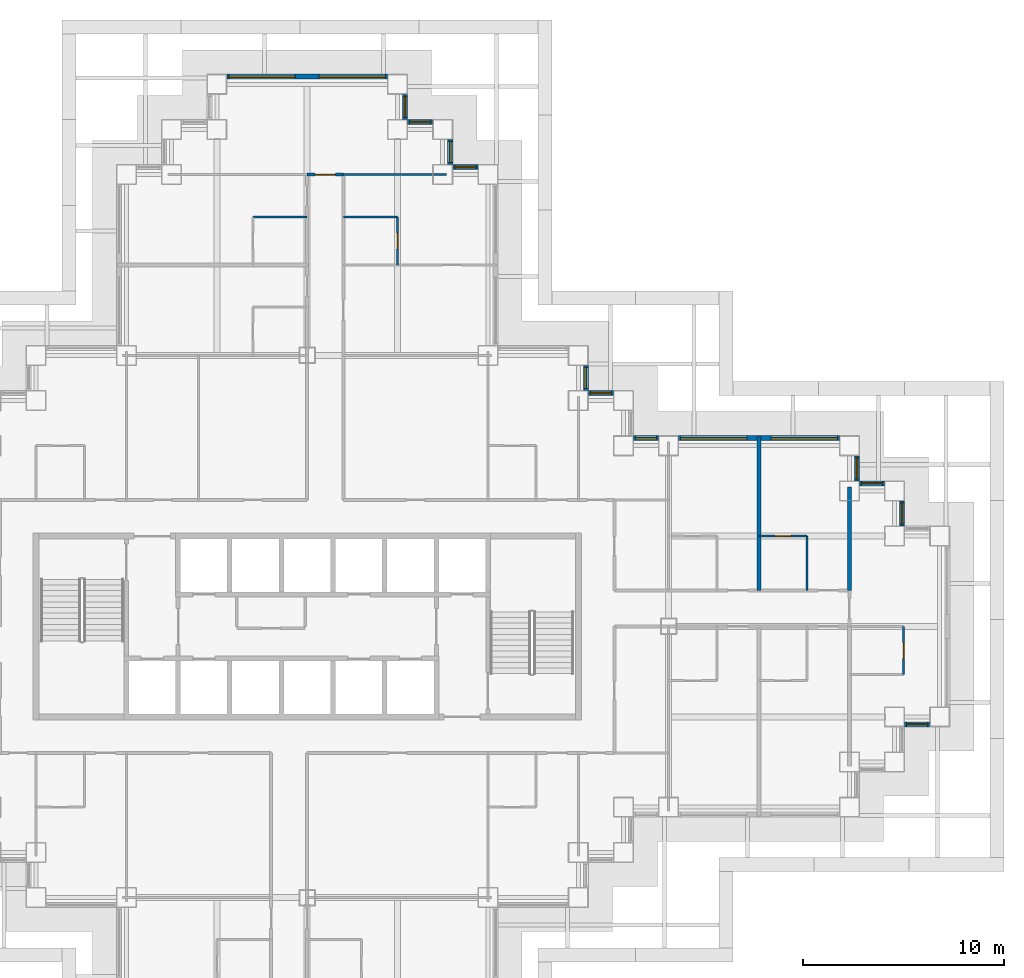
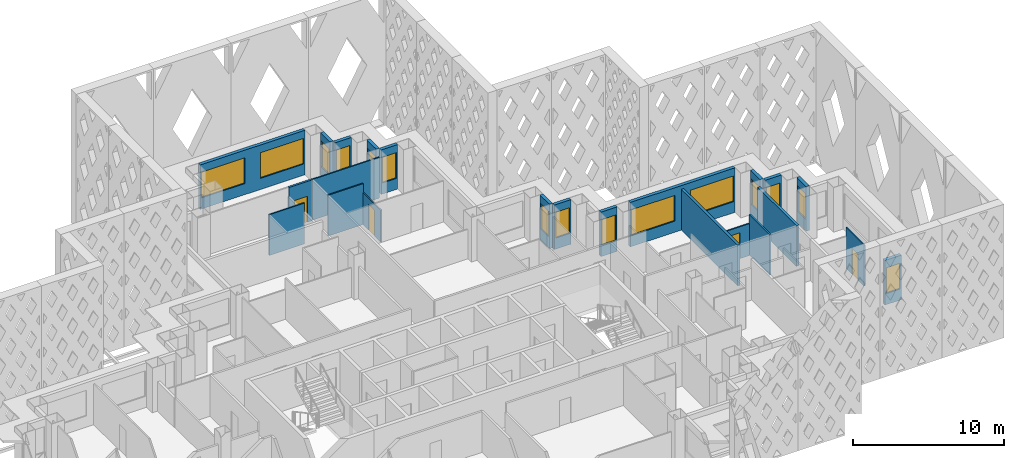
# One storey, part 9 of 19: 23 walls, 15 windows, 4 doors, 19 openings.
"""IFC4 building model written with IfcOpenShell, lengths in metres."""

from ifc_helpers import new_model, si_unit, direction, frame, frame_2d, origin, place, context, subcontext, project, spatial, rectangle, extrude, material, layer, layer_set, type_object, element, fill, save


model = new_model("IFC4")

# Units and contexts
model_context = context("Model", 3, precision=1e-05, world=origin(), true_north=direction((0.0, 1.0)))
body_context = subcontext(model_context, "Body", "Model", "MODEL_VIEW")
ifc_project = project(units=[si_unit("LENGTHUNIT", "METRE"), si_unit("AREAUNIT", "SQUARE_METRE"), si_unit("VOLUMEUNIT", "CUBIC_METRE"), si_unit("PLANEANGLEUNIT", "RADIAN"), si_unit("MASSUNIT", "GRAM", prefix="KILO")], contexts=[model_context])

# Site, building, storey
site_placement = place(None, origin())
site = spatial("IfcSite", under=ifc_project, at=site_placement, CompositionType="ELEMENT")
building_placement = place(site_placement, origin())
building = spatial("IfcBuilding", under=site, at=building_placement, Name="Caravel Reach Hotel and Residences", CompositionType="ELEMENT")
storey_placement = place(building_placement, frame((0.0, 0.0, 74.39990234375)))
storey = spatial("IfcBuildingStorey", under=building, at=storey_placement, Name="L17", CompositionType="ELEMENT", Elevation=74.39990234375)

# Wall, opening, door
ifc_material_1 = material(Name="Gypsum board on steel stud", Category="steel")
ifc_layer_1 = layer(ifc_material_1, 0.10009765625)
ifc_layer_set_1 = layer_set([ifc_layer_1], Name="Bathroom pod wall 100 mm")
wall_type_1 = type_object("IfcWallType", Name="Bathroom pod wall 100 mm", PredefinedType="PARTITIONING", material=ifc_layer_set_1)
wall_1_placement = place(storey_placement, frame((54.0, 31.5, 0.0), z_axis=(0.0, 0.0, 1.0), x_axis=(1.0, 0.0, 0.0)))
wall_1 = element("IfcWall", 1, at=wall_1_placement, inside=storey, type_object=wall_type_1, Name="L17 wall w094", PredefinedType="PARTITIONING", context=body_context, shape_type="SweptSolid", body=[
    extrude(rectangle(XDim=2.39990234375, YDim=0.10009765625, at=frame_2d((1.199951171875, 0.0))), origin(), (0.0, 0.0, 1.0), 2.580078125),
])
opening_1_placement = place(wall_1_placement, frame((0.800048828125, 0.0, 0.0)))
opening_1 = element("IfcOpeningElement", 2, at=opening_1_placement, cuts=wall_1, Name="Opening D17-029", PredefinedType="OPENING", context=body_context, shape_type="SweptSolid", body=[
    extrude(rectangle(XDim=0.800048828125, YDim=2.10009765625, at=frame_2d((0.39990234375, 1.050048828125))), frame((0.0, 0.06005859375, 0.0), z_axis=(0.0, -1.0, 0.0), x_axis=(1.0, 0.0, 0.0)), (0.0, 0.0, 1.0), 0.1201171875),
])
ifc_material_2 = material(Name="Timber and steel door leaf", Category="steel")
door_type_1 = type_object("IfcDoorType", Name="Bathroom door 800 x 2100", OperationType="SINGLE_SWING_LEFT", PredefinedType="DOOR", material=ifc_material_2)
door_1_placement = place(opening_1_placement, origin())
door_1 = element("IfcDoor", 3, at=door_1_placement, inside=storey, type_object=door_type_1, Name="door D17-029", OperationType="SINGLE_SWING_LEFT", OverallHeight=2.10009765625, OverallWidth=0.800048828125, PredefinedType="DOOR", context=body_context, shape_type="SweptSolid", body=[
    extrude(rectangle(XDim=0.800048828125, YDim=2.10009765625, at=frame_2d((0.39990234375, 1.050048828125))), frame((0.0, 0.02490234375, 0.0), z_axis=(0.0, -1.0, 0.0), x_axis=(1.0, 0.0, 0.0)), (0.0, 0.0, 1.0), 0.050048828125),
])
fill(opening_1, door_1)

# Walls
for number, where, z_axis, x_axis, name in (
    (4, (28.800048828125, 47.39990234375, 0.0), (0.0, 0.0, 1.0), (1.0, 0.0, 0.0), "L17 wall w098"),
    (5, (33.300048828125, 47.39990234375, 0.0), (0.0, 0.0, 1.0), (1.0, 0.0, 0.0), "L17 wall w099"),
):
    element("IfcWall", number, at=place(storey_placement, frame(where, z_axis=z_axis, x_axis=x_axis)), inside=storey, type_object=wall_type_1, Name=name, PredefinedType="PARTITIONING", context=body_context, shape_type="SweptSolid", body=[
        extrude(rectangle(XDim=2.699951171875, YDim=0.10009765625, at=frame_2d((1.35009765625, 0.0))), origin(), (0.0, 0.0, 1.0), 3.300048828125),
    ])

# Wall, opening, door
wall_2_placement = place(storey_placement, frame((36.0, 45.0, 0.0), z_axis=(0.0, 0.0, 1.0), x_axis=(0.0, 1.0, 0.0)))
wall_2 = element("IfcWall", 6, at=wall_2_placement, inside=storey, type_object=wall_type_1, Name="L17 wall w108", PredefinedType="PARTITIONING", context=body_context, shape_type="SweptSolid", body=[
    extrude(rectangle(XDim=2.39990234375, YDim=0.10009765625, at=frame_2d((1.199951171875, 0.0))), origin(), (0.0, 0.0, 1.0), 2.580078125),
])
opening_2_placement = place(wall_2_placement, frame((0.800048828125, 0.0, 0.0)))
opening_2 = element("IfcOpeningElement", 7, at=opening_2_placement, cuts=wall_2, Name="Opening D17-036", PredefinedType="OPENING", context=body_context, shape_type="SweptSolid", body=[
    extrude(rectangle(XDim=0.800048828125, YDim=2.10009765625, at=frame_2d((0.39990234375, 1.050048828125))), frame((0.0, 0.06005859375, 0.0), z_axis=(0.0, -1.0, 0.0), x_axis=(1.0, 0.0, 0.0)), (0.0, 0.0, 1.0), 0.1201171875),
])
door_2_placement = place(opening_2_placement, origin())
door_2 = element("IfcDoor", 8, at=door_2_placement, inside=storey, type_object=door_type_1, Name="door D17-036", OperationType="SINGLE_SWING_RIGHT", OverallHeight=2.10009765625, OverallWidth=0.800048828125, PredefinedType="DOOR", context=body_context, shape_type="SweptSolid", body=[
    extrude(rectangle(XDim=0.800048828125, YDim=2.10009765625, at=frame_2d((0.39990234375, 1.050048828125))), frame((0.0, 0.02490234375, 0.0), z_axis=(0.0, -1.0, 0.0), x_axis=(1.0, 0.0, 0.0)), (0.0, 0.0, 1.0), 0.050048828125),
])
fill(opening_2, door_2)

# Wall
wall_3_placement = place(storey_placement, frame((56.39990234375, 28.800048828125, 0.0), z_axis=(0.0, 0.0, 1.0), x_axis=(0.0, 1.0, 0.0)))
element("IfcWall", 9, at=wall_3_placement, inside=storey, type_object=wall_type_1, Name="L17 wall w113", PredefinedType="PARTITIONING", context=body_context, shape_type="SweptSolid", body=[
    extrude(rectangle(XDim=2.699951171875, YDim=0.10009765625, at=frame_2d((1.35009765625, 0.0))), origin(), (0.0, 0.0, 1.0), 3.300048828125),
])

# Wall, opening, door
wall_4_placement = place(storey_placement, frame((61.199951171875, 24.60009765625, 0.0), z_axis=(0.0, 0.0, 1.0), x_axis=(0.0, 1.0, 0.0)))
wall_4 = element("IfcWall", 10, at=wall_4_placement, inside=storey, type_object=wall_type_1, Name="L17 wall w117", PredefinedType="PARTITIONING", context=body_context, shape_type="SweptSolid", body=[
    extrude(rectangle(XDim=2.39990234375, YDim=0.10009765625, at=frame_2d((1.199951171875, 0.0))), origin(), (0.0, 0.0, 1.0), 3.300048828125),
])
opening_3_placement = place(wall_4_placement, frame((0.800048828125, 0.0, 0.0)))
opening_3 = element("IfcOpeningElement", 11, at=opening_3_placement, cuts=wall_4, Name="Opening D17-043", PredefinedType="OPENING", context=body_context, shape_type="SweptSolid", body=[
    extrude(rectangle(XDim=0.800048828125, YDim=2.10009765625, at=frame_2d((0.39990234375, 1.050048828125))), frame((0.0, 0.06005859375, 0.0), z_axis=(0.0, -1.0, 0.0), x_axis=(1.0, 0.0, 0.0)), (0.0, 0.0, 1.0), 0.1201171875),
])
door_3_placement = place(opening_3_placement, origin())
door_3 = element("IfcDoor", 12, at=door_3_placement, inside=storey, type_object=door_type_1, Name="door D17-043", OperationType="SINGLE_SWING_RIGHT", OverallHeight=2.10009765625, OverallWidth=0.800048828125, PredefinedType="DOOR", context=body_context, shape_type="SweptSolid", body=[
    extrude(rectangle(XDim=0.800048828125, YDim=2.10009765625, at=frame_2d((0.39990234375, 1.050048828125))), frame((0.0, 0.02490234375, 0.0), z_axis=(0.0, -1.0, 0.0), x_axis=(1.0, 0.0, 0.0)), (0.0, 0.0, 1.0), 0.050048828125),
])
fill(opening_3, door_3)

ifc_material_3 = material(Name="Gypsum board on steel stud, fire-rated", Category="steel")
ifc_layer_2 = layer(ifc_material_3, 0.14990234375)
ifc_layer_set_2 = layer_set([ifc_layer_2], Name="Corridor wall 150 mm EI 60")
wall_type_2 = type_object("IfcWallType", Name="Corridor wall 150 mm EI 60", PredefinedType="PARTITIONING", material=ifc_layer_set_2)
wall_5_placement = place(storey_placement, frame((31.5, 49.5, 0.0), z_axis=(0.0, 0.0, 1.0), x_axis=(1.0, 0.0, 0.0)))
wall_5 = element("IfcWall", 13, at=wall_5_placement, inside=storey, type_object=wall_type_2, Name="L17 wall w025", PredefinedType="PARTITIONING", context=body_context, shape_type="SweptSolid", body=[
    extrude(rectangle(XDim=1.800048828125, YDim=0.14990234375, at=frame_2d((0.89990234375, 0.0))), origin(), (0.0, 0.0, 1.0), 3.300048828125),
])
opening_4_placement = place(wall_5_placement, frame((0.39990234375, 0.0, 0.0)))
opening_4 = element("IfcOpeningElement", 14, at=opening_4_placement, cuts=wall_5, Name="Opening D17-044", PredefinedType="OPENING", context=body_context, shape_type="SweptSolid", body=[
    extrude(rectangle(XDim=1.0, YDim=2.10009765625, at=frame_2d((0.5, 1.050048828125))), frame((0.0, 0.0849609375, 0.0), z_axis=(0.0, -1.0, 0.0), x_axis=(1.0, 0.0, 0.0)), (0.0, 0.0, 1.0), 0.169921875),
])
ifc_material_4 = material(Name="Steel fire door leaf", Category="steel")
door_type_2 = type_object("IfcDoorType", Name="Guest room door 1000 x 2100 EI 30", OperationType="SINGLE_SWING_LEFT", PredefinedType="DOOR", material=ifc_material_4)
door_4_placement = place(opening_4_placement, origin())
door_4 = element("IfcDoor", 15, at=door_4_placement, inside=storey, type_object=door_type_2, Name="door D17-044", OperationType="SINGLE_SWING_LEFT", OverallHeight=2.10009765625, OverallWidth=1.0, PredefinedType="DOOR", context=body_context, shape_type="SweptSolid", body=[
    extrude(rectangle(XDim=1.0, YDim=2.10009765625, at=frame_2d((0.5, 1.050048828125))), frame((0.0, 0.02490234375, 0.0), z_axis=(0.0, -1.0, 0.0), x_axis=(1.0, 0.0, 0.0)), (0.0, 0.0, 1.0), 0.050048828125),
])
fill(opening_4, door_4)

# Wall, opening, window
ifc_material_5 = material(Name="Insulated rainscreen wall, aluminium cladding", Category="aluminium")
ifc_layer_3 = layer(ifc_material_5, 0.25)
ifc_layer_set_3 = layer_set([ifc_layer_3], Name="EW1 Tower rainscreen wall")
wall_type_3 = type_object("IfcWallType", Name="EW1 Tower rainscreen wall", PredefinedType="SOLIDWALL", material=ifc_layer_set_3)
wall_6_placement = place(storey_placement, frame((61.25, 22.125, 0.0), z_axis=(0.0, 0.0, 1.0), x_axis=(1.0, 0.0, 0.0)))
wall_6 = element("IfcWall", 16, at=wall_6_placement, inside=storey, type_object=wall_type_3, Name="External wall L17 S19.1", PredefinedType="SOLIDWALL", context=body_context, shape_type="SweptSolid", body=[
    extrude(rectangle(XDim=1.25, YDim=0.25, at=frame_2d((0.625, 0.0))), origin(), (0.0, 0.0, 1.0), 3.60009765625),
])
opening_5_placement = place(wall_6_placement, frame((0.10009765625, 0.0, 0.89990234375)))
opening_5 = element("IfcOpeningElement", 17, at=opening_5_placement, cuts=wall_6, Name="Opening WN3", PredefinedType="OPENING", context=body_context, shape_type="SweptSolid", body=[
    extrude(rectangle(XDim=1.050048828125, YDim=2.080078125, at=frame_2d((0.52490234375, 1.0400390625))), frame((0.0, 0.135009765625, 0.0), z_axis=(0.0, -1.0, 0.0), x_axis=(1.0, 0.0, 0.0)), (0.0, 0.0, 1.0), 0.27001953125),
])
ifc_material_6 = material(Name="Dark low-e glazing in black aluminium frame", Category="aluminium")
window_type_1 = type_object("IfcWindowType", Name="Hotel suite corner window 1050 x 2080", PartitioningType="SINGLE_PANEL", PredefinedType="WINDOW", material=ifc_material_6)
window_1_placement = place(opening_5_placement, origin())
window_1 = element("IfcWindow", 18, at=window_1_placement, inside=storey, type_object=window_type_1, Name="Window L17 S19.1.1", OverallHeight=2.080078125, OverallWidth=1.050048828125, PartitioningType="SINGLE_PANEL", PredefinedType="WINDOW", context=body_context, shape_type="SweptSolid", body=[
    extrude(rectangle(XDim=1.050048828125, YDim=2.080078125, at=frame_2d((0.52490234375, 1.0400390625))), frame((0.0, 0.030029296875, 0.0), z_axis=(0.0, -1.0, 0.0), x_axis=(1.0, 0.0, 0.0)), (0.0, 0.0, 1.0), 0.06005859375),
])
fill(opening_5, window_1)

wall_7_placement = place(storey_placement, frame((61.125, 32.0, 0.0), z_axis=(0.0, 0.0, 1.0), x_axis=(0.0, 1.0, 0.0)))
wall_7 = element("IfcWall", 19, at=wall_7_placement, inside=storey, type_object=wall_type_3, Name="External wall L17 E22.1", PredefinedType="SOLIDWALL", context=body_context, shape_type="SweptSolid", body=[
    extrude(rectangle(XDim=1.25, YDim=0.25, at=frame_2d((0.625, 0.0))), origin(), (0.0, 0.0, 1.0), 3.60009765625),
])
opening_6_placement = place(wall_7_placement, frame((0.10009765625, 0.0, 0.89990234375)))
opening_6 = element("IfcOpeningElement", 20, at=opening_6_placement, cuts=wall_7, Name="Opening WN3", PredefinedType="OPENING", context=body_context, shape_type="SweptSolid", body=[
    extrude(rectangle(XDim=1.050048828125, YDim=2.080078125, at=frame_2d((0.52490234375, 1.0400390625))), frame((0.0, 0.135009765625, 0.0), z_axis=(0.0, -1.0, 0.0), x_axis=(1.0, 0.0, 0.0)), (0.0, 0.0, 1.0), 0.27001953125),
])
window_2_placement = place(opening_6_placement, origin())
window_2 = element("IfcWindow", 21, at=window_2_placement, inside=storey, type_object=window_type_1, Name="Window L17 E22.1.1", OverallHeight=2.080078125, OverallWidth=1.050048828125, PartitioningType="SINGLE_PANEL", PredefinedType="WINDOW", context=body_context, shape_type="SweptSolid", body=[
    extrude(rectangle(XDim=1.050048828125, YDim=2.080078125, at=frame_2d((0.52490234375, 1.0400390625))), frame((0.0, 0.030029296875, 0.0), z_axis=(0.0, -1.0, 0.0), x_axis=(1.0, 0.0, 0.0)), (0.0, 0.0, 1.0), 0.06005859375),
])
fill(opening_6, window_2)

wall_8_placement = place(storey_placement, frame((60.25, 34.125, 0.0), z_axis=(0.0, 0.0, 1.0), x_axis=(-1.0, 0.0, 0.0)))
wall_8 = element("IfcWall", 22, at=wall_8_placement, inside=storey, type_object=wall_type_3, Name="External wall L17 N23.1", PredefinedType="SOLIDWALL", context=body_context, shape_type="SweptSolid", body=[
    extrude(rectangle(XDim=1.25, YDim=0.25, at=frame_2d((0.625, 0.0))), origin(), (0.0, 0.0, 1.0), 3.60009765625),
])
opening_7_placement = place(wall_8_placement, frame((0.10009765625, 0.0, 0.89990234375)))
opening_7 = element("IfcOpeningElement", 23, at=opening_7_placement, cuts=wall_8, Name="Opening WN3", PredefinedType="OPENING", context=body_context, shape_type="SweptSolid", body=[
    extrude(rectangle(XDim=1.050048828125, YDim=2.080078125, at=frame_2d((0.52490234375, 1.0400390625))), frame((0.0, 0.135009765625, 0.0), z_axis=(0.0, -1.0, 0.0), x_axis=(1.0, 0.0, 0.0)), (0.0, 0.0, 1.0), 0.27001953125),
])
window_3_placement = place(opening_7_placement, origin())
window_3 = element("IfcWindow", 24, at=window_3_placement, inside=storey, type_object=window_type_1, Name="Window L17 N23.1.1", OverallHeight=2.080078125, OverallWidth=1.050048828125, PartitioningType="SINGLE_PANEL", PredefinedType="WINDOW", context=body_context, shape_type="SweptSolid", body=[
    extrude(rectangle(XDim=1.050048828125, YDim=2.080078125, at=frame_2d((0.52490234375, 1.0400390625))), frame((0.0, 0.030029296875, 0.0), z_axis=(0.0, -1.0, 0.0), x_axis=(1.0, 0.0, 0.0)), (0.0, 0.0, 1.0), 0.06005859375),
])
fill(opening_7, window_3)

wall_9_placement = place(storey_placement, frame((58.875, 34.25, 0.0), z_axis=(0.0, 0.0, 1.0), x_axis=(0.0, 1.0, 0.0)))
wall_9 = element("IfcWall", 25, at=wall_9_placement, inside=storey, type_object=wall_type_3, Name="External wall L17 E24.1", PredefinedType="SOLIDWALL", context=body_context, shape_type="SweptSolid", body=[
    extrude(rectangle(XDim=1.25, YDim=0.25, at=frame_2d((0.625, 0.0))), origin(), (0.0, 0.0, 1.0), 3.60009765625),
])
opening_8_placement = place(wall_9_placement, frame((0.10009765625, 0.0, 0.89990234375)))
opening_8 = element("IfcOpeningElement", 26, at=opening_8_placement, cuts=wall_9, Name="Opening WN3", PredefinedType="OPENING", context=body_context, shape_type="SweptSolid", body=[
    extrude(rectangle(XDim=1.050048828125, YDim=2.080078125, at=frame_2d((0.52490234375, 1.0400390625))), frame((0.0, 0.135009765625, 0.0), z_axis=(0.0, -1.0, 0.0), x_axis=(1.0, 0.0, 0.0)), (0.0, 0.0, 1.0), 0.27001953125),
])
window_4_placement = place(opening_8_placement, origin())
window_4 = element("IfcWindow", 27, at=window_4_placement, inside=storey, type_object=window_type_1, Name="Window L17 E24.1.1", OverallHeight=2.080078125, OverallWidth=1.050048828125, PartitioningType="SINGLE_PANEL", PredefinedType="WINDOW", context=body_context, shape_type="SweptSolid", body=[
    extrude(rectangle(XDim=1.050048828125, YDim=2.080078125, at=frame_2d((0.52490234375, 1.0400390625))), frame((0.0, 0.030029296875, 0.0), z_axis=(0.0, -1.0, 0.0), x_axis=(1.0, 0.0, 0.0)), (0.0, 0.0, 1.0), 0.06005859375),
])
fill(opening_8, window_4)

# Wall, openings, windows
wall_10_placement = place(storey_placement, frame((58.0, 36.375, 0.0), z_axis=(0.0, 0.0, 1.0), x_axis=(-1.0, 0.0, 0.0)))
wall_10 = element("IfcWall", 28, at=wall_10_placement, inside=storey, type_object=wall_type_3, Name="External wall L17 N25.1", PredefinedType="SOLIDWALL", context=body_context, shape_type="SweptSolid", body=[
    extrude(rectangle(XDim=8.0, YDim=0.25, at=frame_2d((4.0, 0.0))), origin(), (0.0, 0.0, 1.0), 3.60009765625),
])
opening_9_placement = place(wall_10_placement, frame((0.10009765625, 0.0, 0.89990234375)))
opening_9 = element("IfcOpeningElement", 29, at=opening_9_placement, cuts=wall_10, Name="Opening WN4", PredefinedType="OPENING", context=body_context, shape_type="SweptSolid", body=[
    extrude(rectangle(XDim=3.300048828125, YDim=2.080078125, at=frame_2d((1.64990234375, 1.0400390625))), frame((0.0, 0.135009765625, 0.0), z_axis=(0.0, -1.0, 0.0), x_axis=(1.0, 0.0, 0.0)), (0.0, 0.0, 1.0), 0.27001953125),
])
opening_10_placement = place(wall_10_placement, frame((4.60009765625, 0.0, 0.89990234375)))
opening_10 = element("IfcOpeningElement", 30, at=opening_10_placement, cuts=wall_10, Name="Opening WN4", PredefinedType="OPENING", context=body_context, shape_type="SweptSolid", body=[
    extrude(rectangle(XDim=3.300048828125, YDim=2.080078125, at=frame_2d((1.64990234375, 1.0400390625))), frame((0.0, 0.135009765625, 0.0), z_axis=(0.0, -1.0, 0.0), x_axis=(1.0, 0.0, 0.0)), (0.0, 0.0, 1.0), 0.27001953125),
])
ifc_material_7 = material(Name="Dark low-e glazing in black aluminium frame", Category="aluminium")
window_type_2 = type_object("IfcWindowType", Name="Hotel guest room window 3300 x 2080", PartitioningType="SINGLE_PANEL", PredefinedType="WINDOW", material=ifc_material_7)
window_5_placement = place(opening_9_placement, origin())
window_5 = element("IfcWindow", 31, at=window_5_placement, inside=storey, type_object=window_type_2, Name="Window L17 N25.1.1", OverallHeight=2.080078125, OverallWidth=3.300048828125, PartitioningType="SINGLE_PANEL", PredefinedType="WINDOW", context=body_context, shape_type="SweptSolid", body=[
    extrude(rectangle(XDim=3.300048828125, YDim=2.080078125, at=frame_2d((1.64990234375, 1.0400390625))), frame((0.0, 0.030029296875, 0.0), z_axis=(0.0, -1.0, 0.0), x_axis=(1.0, 0.0, 0.0)), (0.0, 0.0, 1.0), 0.06005859375),
])
fill(opening_9, window_5)
window_6_placement = place(opening_10_placement, origin())
window_6 = element("IfcWindow", 32, at=window_6_placement, inside=storey, type_object=window_type_2, Name="Window L17 N25.1.2", OverallHeight=2.080078125, OverallWidth=3.300048828125, PartitioningType="SINGLE_PANEL", PredefinedType="WINDOW", context=body_context, shape_type="SweptSolid", body=[
    extrude(rectangle(XDim=3.300048828125, YDim=2.080078125, at=frame_2d((1.64990234375, 1.0400390625))), frame((0.0, 0.030029296875, 0.0), z_axis=(0.0, -1.0, 0.0), x_axis=(1.0, 0.0, 0.0)), (0.0, 0.0, 1.0), 0.06005859375),
])
fill(opening_10, window_6)

# Wall, opening, window
wall_11_placement = place(storey_placement, frame((49.0, 36.375, 0.0), z_axis=(0.0, 0.0, 1.0), x_axis=(-1.0, 0.0, 0.0)))
wall_11 = element("IfcWall", 33, at=wall_11_placement, inside=storey, type_object=wall_type_3, Name="External wall L17 N25.2", PredefinedType="SOLIDWALL", context=body_context, shape_type="SweptSolid", body=[
    extrude(rectangle(XDim=1.25, YDim=0.25, at=frame_2d((0.625, 0.0))), origin(), (0.0, 0.0, 1.0), 3.60009765625),
])
opening_11_placement = place(wall_11_placement, frame((0.10009765625, 0.0, 0.89990234375)))
opening_11 = element("IfcOpeningElement", 34, at=opening_11_placement, cuts=wall_11, Name="Opening WN3", PredefinedType="OPENING", context=body_context, shape_type="SweptSolid", body=[
    extrude(rectangle(XDim=1.050048828125, YDim=2.080078125, at=frame_2d((0.52490234375, 1.0400390625))), frame((0.0, 0.135009765625, 0.0), z_axis=(0.0, -1.0, 0.0), x_axis=(1.0, 0.0, 0.0)), (0.0, 0.0, 1.0), 0.27001953125),
])
window_7_placement = place(opening_11_placement, origin())
window_7 = element("IfcWindow", 35, at=window_7_placement, inside=storey, type_object=window_type_1, Name="Window L17 N25.2.1", OverallHeight=2.080078125, OverallWidth=1.050048828125, PartitioningType="SINGLE_PANEL", PredefinedType="WINDOW", context=body_context, shape_type="SweptSolid", body=[
    extrude(rectangle(XDim=1.050048828125, YDim=2.080078125, at=frame_2d((0.52490234375, 1.0400390625))), frame((0.0, 0.030029296875, 0.0), z_axis=(0.0, -1.0, 0.0), x_axis=(1.0, 0.0, 0.0)), (0.0, 0.0, 1.0), 0.06005859375),
])
fill(opening_11, window_7)

wall_12_placement = place(storey_placement, frame((46.75, 38.625, 0.0), z_axis=(0.0, 0.0, 1.0), x_axis=(-1.0, 0.0, 0.0)))
wall_12 = element("IfcWall", 36, at=wall_12_placement, inside=storey, type_object=wall_type_3, Name="External wall L17 N27.1", PredefinedType="SOLIDWALL", context=body_context, shape_type="SweptSolid", body=[
    extrude(rectangle(XDim=1.25, YDim=0.25, at=frame_2d((0.625, 0.0))), origin(), (0.0, 0.0, 1.0), 3.60009765625),
])
opening_12_placement = place(wall_12_placement, frame((0.10009765625, 0.0, 0.89990234375)))
opening_12 = element("IfcOpeningElement", 37, at=opening_12_placement, cuts=wall_12, Name="Opening WN3", PredefinedType="OPENING", context=body_context, shape_type="SweptSolid", body=[
    extrude(rectangle(XDim=1.050048828125, YDim=2.080078125, at=frame_2d((0.52490234375, 1.0400390625))), frame((0.0, 0.135009765625, 0.0), z_axis=(0.0, -1.0, 0.0), x_axis=(1.0, 0.0, 0.0)), (0.0, 0.0, 1.0), 0.27001953125),
])
window_8_placement = place(opening_12_placement, origin())
window_8 = element("IfcWindow", 38, at=window_8_placement, inside=storey, type_object=window_type_1, Name="Window L17 N27.1.1", OverallHeight=2.080078125, OverallWidth=1.050048828125, PartitioningType="SINGLE_PANEL", PredefinedType="WINDOW", context=body_context, shape_type="SweptSolid", body=[
    extrude(rectangle(XDim=1.050048828125, YDim=2.080078125, at=frame_2d((0.52490234375, 1.0400390625))), frame((0.0, 0.030029296875, 0.0), z_axis=(0.0, -1.0, 0.0), x_axis=(1.0, 0.0, 0.0)), (0.0, 0.0, 1.0), 0.06005859375),
])
fill(opening_12, window_8)

wall_13_placement = place(storey_placement, frame((45.375, 38.75, 0.0), z_axis=(0.0, 0.0, 1.0), x_axis=(0.0, 1.0, 0.0)))
wall_13 = element("IfcWall", 39, at=wall_13_placement, inside=storey, type_object=wall_type_3, Name="External wall L17 E28.1", PredefinedType="SOLIDWALL", context=body_context, shape_type="SweptSolid", body=[
    extrude(rectangle(XDim=1.25, YDim=0.25, at=frame_2d((0.625, 0.0))), origin(), (0.0, 0.0, 1.0), 3.60009765625),
])
opening_13_placement = place(wall_13_placement, frame((0.10009765625, 0.0, 0.89990234375)))
opening_13 = element("IfcOpeningElement", 40, at=opening_13_placement, cuts=wall_13, Name="Opening WN3", PredefinedType="OPENING", context=body_context, shape_type="SweptSolid", body=[
    extrude(rectangle(XDim=1.050048828125, YDim=2.080078125, at=frame_2d((0.52490234375, 1.0400390625))), frame((0.0, 0.135009765625, 0.0), z_axis=(0.0, -1.0, 0.0), x_axis=(1.0, 0.0, 0.0)), (0.0, 0.0, 1.0), 0.27001953125),
])
window_9_placement = place(opening_13_placement, origin())
window_9 = element("IfcWindow", 41, at=window_9_placement, inside=storey, type_object=window_type_1, Name="Window L17 E28.1.1", OverallHeight=2.080078125, OverallWidth=1.050048828125, PartitioningType="SINGLE_PANEL", PredefinedType="WINDOW", context=body_context, shape_type="SweptSolid", body=[
    extrude(rectangle(XDim=1.050048828125, YDim=2.080078125, at=frame_2d((0.52490234375, 1.0400390625))), frame((0.0, 0.030029296875, 0.0), z_axis=(0.0, -1.0, 0.0), x_axis=(1.0, 0.0, 0.0)), (0.0, 0.0, 1.0), 0.06005859375),
])
fill(opening_13, window_9)

wall_14_placement = place(storey_placement, frame((40.0, 49.875, 0.0), z_axis=(0.0, 0.0, 1.0), x_axis=(-1.0, 0.0, 0.0)))
wall_14 = element("IfcWall", 42, at=wall_14_placement, inside=storey, type_object=wall_type_3, Name="External wall L17 N31.1", PredefinedType="SOLIDWALL", context=body_context, shape_type="SweptSolid", body=[
    extrude(rectangle(XDim=1.25, YDim=0.25, at=frame_2d((0.625, 0.0))), origin(), (0.0, 0.0, 1.0), 3.60009765625),
])
opening_14_placement = place(wall_14_placement, frame((0.10009765625, 0.0, 0.89990234375)))
opening_14 = element("IfcOpeningElement", 43, at=opening_14_placement, cuts=wall_14, Name="Opening WN3", PredefinedType="OPENING", context=body_context, shape_type="SweptSolid", body=[
    extrude(rectangle(XDim=1.050048828125, YDim=2.080078125, at=frame_2d((0.52490234375, 1.0400390625))), frame((0.0, 0.135009765625, 0.0), z_axis=(0.0, -1.0, 0.0), x_axis=(1.0, 0.0, 0.0)), (0.0, 0.0, 1.0), 0.27001953125),
])
window_10_placement = place(opening_14_placement, origin())
window_10 = element("IfcWindow", 44, at=window_10_placement, inside=storey, type_object=window_type_1, Name="Window L17 N31.1.1", OverallHeight=2.080078125, OverallWidth=1.050048828125, PartitioningType="SINGLE_PANEL", PredefinedType="WINDOW", context=body_context, shape_type="SweptSolid", body=[
    extrude(rectangle(XDim=1.050048828125, YDim=2.080078125, at=frame_2d((0.52490234375, 1.0400390625))), frame((0.0, 0.030029296875, 0.0), z_axis=(0.0, -1.0, 0.0), x_axis=(1.0, 0.0, 0.0)), (0.0, 0.0, 1.0), 0.06005859375),
])
fill(opening_14, window_10)

wall_15_placement = place(storey_placement, frame((38.625, 50.0, 0.0), z_axis=(0.0, 0.0, 1.0), x_axis=(0.0, 1.0, 0.0)))
wall_15 = element("IfcWall", 45, at=wall_15_placement, inside=storey, type_object=wall_type_3, Name="External wall L17 E32.1", PredefinedType="SOLIDWALL", context=body_context, shape_type="SweptSolid", body=[
    extrude(rectangle(XDim=1.25, YDim=0.25, at=frame_2d((0.625, 0.0))), origin(), (0.0, 0.0, 1.0), 3.60009765625),
])
opening_15_placement = place(wall_15_placement, frame((0.10009765625, 0.0, 0.89990234375)))
opening_15 = element("IfcOpeningElement", 46, at=opening_15_placement, cuts=wall_15, Name="Opening WN3", PredefinedType="OPENING", context=body_context, shape_type="SweptSolid", body=[
    extrude(rectangle(XDim=1.050048828125, YDim=2.080078125, at=frame_2d((0.52490234375, 1.0400390625))), frame((0.0, 0.135009765625, 0.0), z_axis=(0.0, -1.0, 0.0), x_axis=(1.0, 0.0, 0.0)), (0.0, 0.0, 1.0), 0.27001953125),
])
window_11_placement = place(opening_15_placement, origin())
window_11 = element("IfcWindow", 47, at=window_11_placement, inside=storey, type_object=window_type_1, Name="Window L17 E32.1.1", OverallHeight=2.080078125, OverallWidth=1.050048828125, PartitioningType="SINGLE_PANEL", PredefinedType="WINDOW", context=body_context, shape_type="SweptSolid", body=[
    extrude(rectangle(XDim=1.050048828125, YDim=2.080078125, at=frame_2d((0.52490234375, 1.0400390625))), frame((0.0, 0.030029296875, 0.0), z_axis=(0.0, -1.0, 0.0), x_axis=(1.0, 0.0, 0.0)), (0.0, 0.0, 1.0), 0.06005859375),
])
fill(opening_15, window_11)

wall_16_placement = place(storey_placement, frame((37.75, 52.125, 0.0), z_axis=(0.0, 0.0, 1.0), x_axis=(-1.0, 0.0, 0.0)))
wall_16 = element("IfcWall", 48, at=wall_16_placement, inside=storey, type_object=wall_type_3, Name="External wall L17 N33.1", PredefinedType="SOLIDWALL", context=body_context, shape_type="SweptSolid", body=[
    extrude(rectangle(XDim=1.25, YDim=0.25, at=frame_2d((0.625, 0.0))), origin(), (0.0, 0.0, 1.0), 3.60009765625),
])
opening_16_placement = place(wall_16_placement, frame((0.10009765625, 0.0, 0.89990234375)))
opening_16 = element("IfcOpeningElement", 49, at=opening_16_placement, cuts=wall_16, Name="Opening WN3", PredefinedType="OPENING", context=body_context, shape_type="SweptSolid", body=[
    extrude(rectangle(XDim=1.050048828125, YDim=2.080078125, at=frame_2d((0.52490234375, 1.0400390625))), frame((0.0, 0.135009765625, 0.0), z_axis=(0.0, -1.0, 0.0), x_axis=(1.0, 0.0, 0.0)), (0.0, 0.0, 1.0), 0.27001953125),
])
window_12_placement = place(opening_16_placement, origin())
window_12 = element("IfcWindow", 50, at=window_12_placement, inside=storey, type_object=window_type_1, Name="Window L17 N33.1.1", OverallHeight=2.080078125, OverallWidth=1.050048828125, PartitioningType="SINGLE_PANEL", PredefinedType="WINDOW", context=body_context, shape_type="SweptSolid", body=[
    extrude(rectangle(XDim=1.050048828125, YDim=2.080078125, at=frame_2d((0.52490234375, 1.0400390625))), frame((0.0, 0.030029296875, 0.0), z_axis=(0.0, -1.0, 0.0), x_axis=(1.0, 0.0, 0.0)), (0.0, 0.0, 1.0), 0.06005859375),
])
fill(opening_16, window_12)

wall_17_placement = place(storey_placement, frame((36.375, 52.25, 0.0), z_axis=(0.0, 0.0, 1.0), x_axis=(0.0, 1.0, 0.0)))
wall_17 = element("IfcWall", 51, at=wall_17_placement, inside=storey, type_object=wall_type_3, Name="External wall L17 E34.1", PredefinedType="SOLIDWALL", context=body_context, shape_type="SweptSolid", body=[
    extrude(rectangle(XDim=1.25, YDim=0.25, at=frame_2d((0.625, 0.0))), origin(), (0.0, 0.0, 1.0), 3.60009765625),
])
opening_17_placement = place(wall_17_placement, frame((0.10009765625, 0.0, 0.89990234375)))
opening_17 = element("IfcOpeningElement", 52, at=opening_17_placement, cuts=wall_17, Name="Opening WN3", PredefinedType="OPENING", context=body_context, shape_type="SweptSolid", body=[
    extrude(rectangle(XDim=1.050048828125, YDim=2.080078125, at=frame_2d((0.52490234375, 1.0400390625))), frame((0.0, 0.135009765625, 0.0), z_axis=(0.0, -1.0, 0.0), x_axis=(1.0, 0.0, 0.0)), (0.0, 0.0, 1.0), 0.27001953125),
])
window_13_placement = place(opening_17_placement, origin())
window_13 = element("IfcWindow", 53, at=window_13_placement, inside=storey, type_object=window_type_1, Name="Window L17 E34.1.1", OverallHeight=2.080078125, OverallWidth=1.050048828125, PartitioningType="SINGLE_PANEL", PredefinedType="WINDOW", context=body_context, shape_type="SweptSolid", body=[
    extrude(rectangle(XDim=1.050048828125, YDim=2.080078125, at=frame_2d((0.52490234375, 1.0400390625))), frame((0.0, 0.030029296875, 0.0), z_axis=(0.0, -1.0, 0.0), x_axis=(1.0, 0.0, 0.0)), (0.0, 0.0, 1.0), 0.06005859375),
])
fill(opening_17, window_13)

# Wall, openings, windows
wall_18_placement = place(storey_placement, frame((35.5, 54.375, 0.0), z_axis=(0.0, 0.0, 1.0), x_axis=(-1.0, 0.0, 0.0)))
wall_18 = element("IfcWall", 54, at=wall_18_placement, inside=storey, type_object=wall_type_3, Name="External wall L17 N35.1", PredefinedType="SOLIDWALL", context=body_context, shape_type="SweptSolid", body=[
    extrude(rectangle(XDim=8.0, YDim=0.25, at=frame_2d((4.0, 0.0))), origin(), (0.0, 0.0, 1.0), 3.60009765625),
])
opening_18_placement = place(wall_18_placement, frame((0.10009765625, 0.0, 0.89990234375)))
opening_18 = element("IfcOpeningElement", 55, at=opening_18_placement, cuts=wall_18, Name="Opening WN4", PredefinedType="OPENING", context=body_context, shape_type="SweptSolid", body=[
    extrude(rectangle(XDim=3.300048828125, YDim=2.080078125, at=frame_2d((1.64990234375, 1.0400390625))), frame((0.0, 0.135009765625, 0.0), z_axis=(0.0, -1.0, 0.0), x_axis=(1.0, 0.0, 0.0)), (0.0, 0.0, 1.0), 0.27001953125),
])
opening_19_placement = place(wall_18_placement, frame((4.60009765625, 0.0, 0.89990234375)))
opening_19 = element("IfcOpeningElement", 56, at=opening_19_placement, cuts=wall_18, Name="Opening WN4", PredefinedType="OPENING", context=body_context, shape_type="SweptSolid", body=[
    extrude(rectangle(XDim=3.300048828125, YDim=2.080078125, at=frame_2d((1.64990234375, 1.0400390625))), frame((0.0, 0.135009765625, 0.0), z_axis=(0.0, -1.0, 0.0), x_axis=(1.0, 0.0, 0.0)), (0.0, 0.0, 1.0), 0.27001953125),
])
window_14_placement = place(opening_18_placement, origin())
window_14 = element("IfcWindow", 57, at=window_14_placement, inside=storey, type_object=window_type_2, Name="Window L17 N35.1.1", OverallHeight=2.080078125, OverallWidth=3.300048828125, PartitioningType="SINGLE_PANEL", PredefinedType="WINDOW", context=body_context, shape_type="SweptSolid", body=[
    extrude(rectangle(XDim=3.300048828125, YDim=2.080078125, at=frame_2d((1.64990234375, 1.0400390625))), frame((0.0, 0.030029296875, 0.0), z_axis=(0.0, -1.0, 0.0), x_axis=(1.0, 0.0, 0.0)), (0.0, 0.0, 1.0), 0.06005859375),
])
fill(opening_18, window_14)
window_15_placement = place(opening_19_placement, origin())
window_15 = element("IfcWindow", 58, at=window_15_placement, inside=storey, type_object=window_type_2, Name="Window L17 N35.1.2", OverallHeight=2.080078125, OverallWidth=3.300048828125, PartitioningType="SINGLE_PANEL", PredefinedType="WINDOW", context=body_context, shape_type="SweptSolid", body=[
    extrude(rectangle(XDim=3.300048828125, YDim=2.080078125, at=frame_2d((1.64990234375, 1.0400390625))), frame((0.0, 0.030029296875, 0.0), z_axis=(0.0, -1.0, 0.0), x_axis=(1.0, 0.0, 0.0)), (0.0, 0.0, 1.0), 0.06005859375),
])
fill(opening_19, window_15)

# Walls
ifc_material_8 = material(Name="Gypsum board on steel stud", Category="steel")
ifc_layer_4 = layer(ifc_material_8, 0.10009765625)
ifc_layer_set_4 = layer_set([ifc_layer_4], Name="Partition 100 mm")
wall_type_4 = type_object("IfcWallType", Name="Partition 100 mm", PredefinedType="PARTITIONING", material=ifc_layer_set_4)
wall_19_placement = place(storey_placement, frame((33.300048828125, 49.5, 0.0), z_axis=(0.0, 0.0, 1.0), x_axis=(1.0, 0.0, 0.0)))
element("IfcWall", 59, at=wall_19_placement, inside=storey, type_object=wall_type_4, Name="L17 wall w054", PredefinedType="PARTITIONING", context=body_context, shape_type="SweptSolid", body=[
    extrude(rectangle(XDim=5.139892578125, YDim=0.10009765625, at=frame_2d((2.56982421875, 0.0))), origin(), (0.0, 0.0, 1.0), 3.300048828125),
])
ifc_material_9 = material(Name="Autoclaved aerated block wall")
ifc_layer_5 = layer(ifc_material_9, 0.199951171875)
ifc_layer_set_5 = layer_set([ifc_layer_5], Name="Party wall 200 mm EI 60")
wall_type_5 = type_object("IfcWallType", Name="Party wall 200 mm EI 60", PredefinedType="PARTITIONING", material=ifc_layer_set_5)
wall_20_placement = place(storey_placement, frame((54.0, 28.800048828125, 0.0), z_axis=(0.0, 0.0, 1.0), x_axis=(0.0, 1.0, 0.0)))
element("IfcWall", 60, at=wall_20_placement, inside=storey, type_object=wall_type_5, Name="L17 wall w077", PredefinedType="PARTITIONING", context=body_context, shape_type="SweptSolid", body=[
    extrude(rectangle(XDim=7.639892578125, YDim=0.199951171875, at=frame_2d((3.81982421875, 0.0))), origin(), (0.0, 0.0, 1.0), 3.300048828125),
])
wall_21_placement = place(storey_placement, frame((58.5, 28.800048828125, 0.0), z_axis=(0.0, 0.0, 1.0), x_axis=(0.0, 1.0, 0.0)))
element("IfcWall", 61, at=wall_21_placement, inside=storey, type_object=wall_type_5, Name="L17 wall w079", PredefinedType="PARTITIONING", context=body_context, shape_type="SweptSolid", body=[
    extrude(rectangle(XDim=5.139892578125, YDim=0.199951171875, at=frame_2d((2.56982421875, 0.0))), origin(), (0.0, 0.0, 1.0), 3.300048828125),
])

save(model, "model.ifc")
